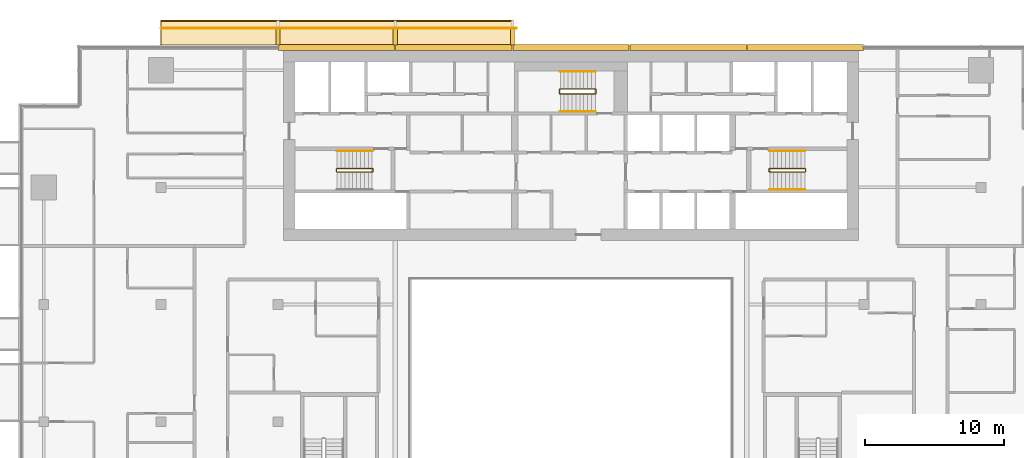
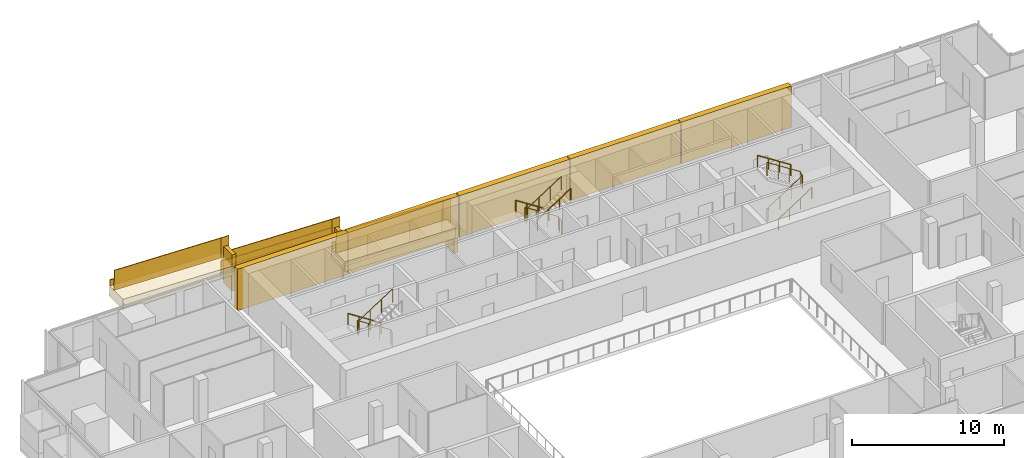
# One storey, part 27 of 28: 14 coverings, 14 railings.
"""IFC4 building model written with IfcOpenShell, lengths in metres."""

import ifcopenshell
import ifcopenshell.guid

model = None  # the IFC model being written
_history = None  # IfcOwnerHistory: only IFC2X3 demands one
_inside = {}  # id of a spatial element -> (the spatial element, [elements in it])
_under = {}  # id of a project, library or spatial element -> (it, [spatial elements below it])
_declared = {}  # id of a project -> (the project, [libraries it declares])
_typed = {}  # id of a type object -> (the type object, [elements of that type])
_made_of = {}  # id of a material, layer set ... -> (it, [elements and type objects made of it])


def new_model(schema):
    """Start an empty IFC model of exactly this schema.

    Asked for "IFC4X3", IfcOpenShell would pick the latest addendum, in which some entities
    have other attributes; the version numbers below select the first issue.
    IFC2X3 requires an IfcOwnerHistory on every rooted entity: one is made here for all.
    """
    global model, _history
    if schema == "IFC4X3":
        model = ifcopenshell.file(schema_version=(4, 3, 0, 0))
    else:
        model = ifcopenshell.file(schema=schema)
    _inside.clear()
    _under.clear()
    _declared.clear()
    _typed.clear()
    _made_of.clear()
    _history = None
    if model.schema == "IFC2X3":
        org = make("IfcOrganization", Name="unknown")
        user = make(
            "IfcPersonAndOrganization",
            ThePerson=make("IfcPerson", FamilyName="unknown"),
            TheOrganization=org,
        )
        app = make(
            "IfcApplication",
            ApplicationDeveloper=org,
            Version="unknown",
            ApplicationFullName="unknown",
            ApplicationIdentifier="unknown",
        )
        _history = make(
            "IfcOwnerHistory",
            OwningUser=user,
            OwningApplication=app,
            ChangeAction="ADDED",
            CreationDate=0,
        )
    return model


def make(cls, **values):
    """One entity of the class cls with the attributes given. An attribute that is None is left unset."""
    return model.create_entity(
        cls, **{name: value for name, value in values.items() if value is not None}
    )


def rooted(cls, **values):
    """An entity with a GlobalId (a new one), such as an element, a storey or a relation."""
    return make(cls, GlobalId=ifcopenshell.guid.new(), OwnerHistory=_history, **values)


def si_unit(unit_type, name, prefix=None):
    """IfcSIUnit, for example si_unit("LENGTHUNIT", "METRE", prefix="MILLI")."""
    return make("IfcSIUnit", UnitType=unit_type, Prefix=prefix, Name=name)


def assignment(units):
    """IfcUnitAssignment: the units of a project."""
    return None if units is None else make("IfcUnitAssignment", Units=units)


def point(xyz):
    """IfcCartesianPoint."""
    return None if xyz is None else make("IfcCartesianPoint", Coordinates=xyz)


def direction(xyz):
    """IfcDirection."""
    return None if xyz is None else make("IfcDirection", DirectionRatios=xyz)


def frame(location, z_axis=None, x_axis=None):
    """IfcAxis2Placement3D, a coordinate frame: its origin and axes. An axis left out is left unset."""
    return make(
        "IfcAxis2Placement3D",
        Location=point(location),
        Axis=direction(z_axis),
        RefDirection=direction(x_axis),
    )


def frame_2d(location, x_axis=None):
    """IfcAxis2Placement2D, a coordinate frame in the plane: its origin and x axis."""
    return make(
        "IfcAxis2Placement2D", Location=point(location), RefDirection=direction(x_axis)
    )


def origin():
    """The frame at (0, 0, 0) with its axes left unset."""
    return frame((0.0, 0.0, 0.0))


def origin_2d():
    """The frame at (0, 0) in the plane with its x axis left unset."""
    return frame_2d((0.0, 0.0))


def place(relative_to, where):
    """IfcLocalPlacement: puts the frame where relative to a parent placement (None: the world)."""
    return make(
        "IfcLocalPlacement", PlacementRelTo=relative_to, RelativePlacement=where
    )


def context(
    kind, dimensions, precision=None, world=None, true_north=None, identifier=None
):
    """IfcGeometricRepresentationContext, for example the 3D "Model" context."""
    return make(
        "IfcGeometricRepresentationContext",
        ContextIdentifier=identifier,
        ContextType=kind,
        CoordinateSpaceDimension=dimensions,
        Precision=precision,
        WorldCoordinateSystem=world,
        TrueNorth=true_north,
    )


def subcontext(parent, identifier, kind, view, scale=None):
    """IfcGeometricRepresentationSubContext, for example "Body" below "Model"."""
    return make(
        "IfcGeometricRepresentationSubContext",
        ContextIdentifier=identifier,
        ContextType=kind,
        ParentContext=parent,
        TargetScale=scale,
        TargetView=view,
    )


def project(units=None, contexts=None):
    """IfcProject with its units and contexts."""
    return rooted(
        "IfcProject",
        Name="project",
        RepresentationContexts=contexts,
        UnitsInContext=assignment(units),
    )


def spatial(cls, under=None, at=None, **own):
    """A site, building, storey or space (cls), placed at a placement, below another one or the project."""
    s = rooted(cls, ObjectPlacement=at, **own)
    if under is not None:
        _under.setdefault(under.id(), (under, []))[1].append(s)
    return s


def polyline(points):
    """IfcPolyline through the points."""
    return make("IfcPolyline", Points=[point(p) for p in points])


def profile(cls, at=None, kind="AREA", **sizes):
    """A parametric profile (cls). Its sizes go by their IFC names, for example OverallWidth=200.0."""
    return make(cls, ProfileType=kind, Position=at, **sizes)


def rectangle(**sizes):
    """IfcRectangleProfileDef."""
    return profile("IfcRectangleProfileDef", **sizes)


def circle(**sizes):
    """IfcCircleProfileDef."""
    return profile("IfcCircleProfileDef", **sizes)


def outline(outer, holes=None, kind="AREA"):
    """IfcArbitraryClosedProfileDef: a profile drawn as a closed curve; with holes, ...WithVoids."""
    if holes is None:
        return make("IfcArbitraryClosedProfileDef", ProfileType=kind, OuterCurve=outer)
    return make(
        "IfcArbitraryProfileDefWithVoids",
        ProfileType=kind,
        OuterCurve=outer,
        InnerCurves=holes,
    )


def extrude(swept, where, along, depth):
    """IfcExtrudedAreaSolid: the profile swept, set in the frame where, extruded along a direction by depth."""
    return make(
        "IfcExtrudedAreaSolid",
        SweptArea=swept,
        Position=where,
        ExtrudedDirection=direction(along),
        Depth=depth,
    )


def shape(context_of_items, identifier, shape_type, items):
    """IfcShapeRepresentation: the items that make up one representation, for example the "Body"."""
    return make(
        "IfcShapeRepresentation",
        ContextOfItems=context_of_items,
        RepresentationIdentifier=identifier,
        RepresentationType=shape_type,
        Items=items,
    )


def material(Name=None, Category=None):
    """IfcMaterial."""
    return make("IfcMaterial", Name=Name, Category=Category)


def layer(
    of_material, thickness, ventilated=None, Name=None, Category=None, Priority=None
):
    """IfcMaterialLayer: one layer of a wall or slab, of a material (None: an air gap)."""
    return make(
        "IfcMaterialLayer",
        Material=of_material,
        LayerThickness=thickness,
        IsVentilated=ventilated,
        Name=Name,
        Category=Category,
        Priority=Priority,
    )


def layer_set(layers, Name=None):
    """IfcMaterialLayerSet."""
    return make("IfcMaterialLayerSet", MaterialLayers=layers, LayerSetName=Name)


def made_of(thing, what):
    """Note that an element or type object is made of a material, layer set ...; save() writes the relation."""
    if what is not None:
        _made_of.setdefault(what.id(), (what, []))[1].append(thing)
    return thing


def type_object(cls, material=None, **own):
    """A type object (cls), such as IfcWallType, which elements share."""
    return made_of(rooted(cls, **own), material)


def element(
    cls,
    number,
    at=None,
    inside=None,
    cuts=None,
    type_object=None,
    material=None,
    context=None,
    identifier="Body",
    shape_type=None,
    held_by="IfcProductDefinitionShape",
    body=None,
    shapes=None,
    **own,
):
    """One element of the class cls, such as IfcWall. Its Tag is "e" and its number.

    at: its placement. inside: the storey or other place that contains it. cuts: it is an
    opening in that element (IfcRelVoidsElement). A single representation is given by context,
    identifier, shape_type and body (its items); several are given by shapes. held_by: the class
    of the entity that holds the representations. save() writes the other relations.
    """
    e = rooted(cls, Tag="e%d" % number, ObjectPlacement=at, **own)
    if body is not None:
        shapes = [shape(context, identifier, shape_type, body)]
    if shapes is not None:
        e.Representation = make(held_by, Representations=shapes)
    if inside is not None:
        _inside.setdefault(inside.id(), (inside, []))[1].append(e)
    if cuts is not None:
        rooted(
            "IfcRelVoidsElement", RelatingBuildingElement=cuts, RelatedOpeningElement=e
        )
    if type_object is not None:
        _typed.setdefault(type_object.id(), (type_object, []))[1].append(e)
    return made_of(e, material)


def aggregate(whole, parts):
    """IfcRelAggregates: a whole, such as a stair, and the parts it consists of."""
    return rooted("IfcRelAggregates", RelatingObject=whole, RelatedObjects=parts)


def save(model, path):
    """Write the relations noted so far, then the file.

    IfcRelAggregates (storeys below a building ...), IfcRelContainedInSpatialStructure (elements
    in a storey), IfcRelDefinesByType, IfcRelAssociatesMaterial and IfcRelDeclares: one each for
    every whole, place, type object, material and project.
    """
    for whole, parts in _under.values():
        aggregate(whole, parts)
    for where, things in _inside.values():
        rooted(
            "IfcRelContainedInSpatialStructure",
            RelatedElements=things,
            RelatingStructure=where,
        )
    for kind, things in _typed.values():
        rooted("IfcRelDefinesByType", RelatedObjects=things, RelatingType=kind)
    for what, things in _made_of.values():
        rooted("IfcRelAssociatesMaterial", RelatedObjects=things, RelatingMaterial=what)
    for by, libraries in _declared.values():
        rooted("IfcRelDeclares", RelatingContext=by, RelatedDefinitions=libraries)
    model.write(path)


model = new_model("IFC4")

# Units and contexts
model_context = context("Model", 3, precision=1e-05, world=origin(), true_north=direction((0.0, 1.0)))
body_context = subcontext(model_context, "Body", "Model", "MODEL_VIEW")
ifc_project = project(units=[si_unit("LENGTHUNIT", "METRE"), si_unit("AREAUNIT", "SQUARE_METRE"), si_unit("VOLUMEUNIT", "CUBIC_METRE"), si_unit("PLANEANGLEUNIT", "RADIAN"), si_unit("MASSUNIT", "GRAM", prefix="KILO")], contexts=[model_context])

# Site, building, storey
site_placement = place(None, origin())
site = spatial("IfcSite", under=ifc_project, at=site_placement, CompositionType="ELEMENT")
building_placement = place(site_placement, origin())
building = spatial("IfcBuilding", under=site, at=building_placement, Name="Saffron Gate Tower", CompositionType="ELEMENT")
storey_placement = place(building_placement, frame((0.0, 0.0, 154.64990234375)))
storey = spatial("IfcBuildingStorey", under=building, at=storey_placement, Name="L37", CompositionType="ELEMENT", Elevation=154.64990234375)

# Coverings
ifc_material_1 = material(Name="Ceramic-printed bronze insulated panel")
ifc_layer_1 = layer(ifc_material_1, 0.43994140625)
ifc_layer_set_1 = layer_set([ifc_layer_1], Name="CLD3 ceramic-printed cladding panel 440")
covering_type_1 = type_object("IfcCoveringType", Name="CLD3 ceramic-printed cladding panel 440", PredefinedType="CLADDING", material=ifc_layer_set_1)
covering_1_placement = place(storey_placement, origin())
element("IfcCovering", 1, at=covering_1_placement, inside=storey, type_object=covering_type_1, Name="CLADDING ceramic-printed panel", PredefinedType="CLADDING", context=body_context, shape_type="SweptSolid", body=[
    extrude(outline(polyline([(108.56494140625, 75.639892578125), (100.235107421875, 75.639892578125), (100.235107421875, 75.199951171875), (108.56494140625, 75.199951171875), (108.56494140625, 75.639892578125)])), origin(), (0.0, 0.0, 1.0), 3.320068359375),
])
covering_2_placement = place(storey_placement, origin())
element("IfcCovering", 2, at=covering_2_placement, inside=storey, type_object=covering_type_1, Name="CLADDING ceramic-printed panel", PredefinedType="CLADDING", context=body_context, shape_type="SweptSolid", body=[
    extrude(outline(polyline([(100.1650390625, 75.639892578125), (91.8349609375, 75.639892578125), (91.8349609375, 75.199951171875), (100.1650390625, 75.199951171875), (100.1650390625, 75.639892578125)])), origin(), (0.0, 0.0, 1.0), 3.320068359375),
])
covering_3_placement = place(storey_placement, origin())
element("IfcCovering", 3, at=covering_3_placement, inside=storey, type_object=covering_type_1, Name="CLADDING ceramic-printed panel", PredefinedType="CLADDING", context=body_context, shape_type="SweptSolid", body=[
    extrude(outline(polyline([(91.764892578125, 75.639892578125), (83.43505859375, 75.639892578125), (83.43505859375, 75.199951171875), (91.764892578125, 75.199951171875), (91.764892578125, 75.639892578125)])), origin(), (0.0, 0.0, 1.0), 3.320068359375),
])
covering_4_placement = place(storey_placement, origin())
element("IfcCovering", 4, at=covering_4_placement, inside=storey, type_object=covering_type_1, Name="CLADDING ceramic-printed panel", PredefinedType="CLADDING", context=body_context, shape_type="SweptSolid", body=[
    extrude(outline(polyline([(83.364990234375, 75.639892578125), (75.034912109375, 75.639892578125), (75.034912109375, 75.199951171875), (83.364990234375, 75.199951171875), (83.364990234375, 75.639892578125)])), origin(), (0.0, 0.0, 1.0), 3.320068359375),
])
covering_5_placement = place(storey_placement, origin())
element("IfcCovering", 5, at=covering_5_placement, inside=storey, type_object=covering_type_1, Name="CLADDING ceramic-printed panel", PredefinedType="CLADDING", context=body_context, shape_type="SweptSolid", body=[
    extrude(outline(polyline([(74.965087890625, 75.639892578125), (66.635009765625, 75.639892578125), (66.635009765625, 75.199951171875), (74.965087890625, 75.199951171875), (74.965087890625, 75.639892578125)])), origin(), (0.0, 0.0, 1.0), 3.320068359375),
])

# Railings
ifc_material_2 = material(Name="Stainless steel and laminated glass", Category="steel")
railing_type_1 = type_object("IfcRailingType", Name="CR1 Stair guard 1100", PredefinedType="GUARDRAIL", material=ifc_material_2)
railing_1_placement = place(storey_placement, frame((73.39990234375, 66.550048828125, 0.0)))
element("IfcRailing", 6, at=railing_1_placement, inside=storey, type_object=railing_type_1, Name="L37 ST-A stair guard 1", PredefinedType="GUARDRAIL", context=body_context, shape_type="SweptSolid", body=[
    extrude(circle(Radius=0.02392578125, at=origin_2d()), frame((0.0, 0.0, 1.076171875), z_axis=(0.0, 1.0, 0.0), x_axis=(-1.0, 0.0, 0.0)), (0.0, 0.0, 1.0), 0.14990234375),
    extrude(circle(Radius=0.02392578125, at=origin_2d()), frame((0.0, 0.14990234375, 1.076171875), z_axis=(-0.257366384619, 0.258627984543, 0.931060744355), x_axis=(-0.708833529934, -0.705375805398, 0.0)), (0.0, 0.0, 1.0), 0.193603515625),
    extrude(circle(Radius=0.02392578125, at=origin_2d()), frame((-0.0498046875, 0.199951171875, 1.25634765625), z_axis=(-0.841199657755, 0.0, 0.540724639528), x_axis=(0.0, -1.0, 0.0)), (0.0, 0.0, 1.0), 2.995849609375),
    extrude(circle(Radius=0.02392578125, at=origin_2d()), frame((-2.56982421875, 0.199951171875, 2.8759765625), z_axis=(-0.707106781187, -0.707106781187, 0.0), x_axis=(0.707106781187, -0.707106781187, 0.0)), (0.0, 0.0, 1.0), 0.07080078125),
    extrude(circle(Radius=0.02392578125, at=origin_2d()), frame((-2.619873046875, 0.14990234375, 2.8759765625), z_axis=(0.0, -1.0, 0.0), x_axis=(1.0, 0.0, 0.0)), (0.0, 0.0, 1.0), 0.14990234375),
    extrude(circle(Radius=0.02392578125, at=origin_2d()), frame((-2.619873046875, 0.0, 2.8759765625), z_axis=(0.258847668887, -0.258847668887, 0.930588936439), x_axis=(0.707106781187, 0.707106781187, 0.0)), (0.0, 0.0, 1.0), 0.193359375),
    extrude(circle(Radius=0.02392578125, at=origin_2d()), frame((-2.56982421875, -0.050048828125, 3.05615234375), z_axis=(0.841162588446, 0.0, 0.540782303519), x_axis=(0.0, 1.0, 0.0)), (0.0, 0.0, 1.0), 2.995849609375),
    extrude(circle(Radius=0.02099609375, at=origin_2d()), origin(), (0.0, 0.0, 1.0), 1.052001953125),
    extrude(circle(Radius=0.02099609375, at=origin_2d()), frame((0.0, 0.14990234375, 0.0)), (0.0, 0.0, 1.0), 1.052001953125),
    extrude(circle(Radius=0.02099609375, at=origin_2d()), frame((-0.0498046875, 0.199951171875, 0.18017578125)), (0.0, 0.0, 1.0), 1.052001953125),
    extrude(circle(Radius=0.02099609375, at=origin_2d()), frame((-0.889892578125, 0.199951171875, 0.72021484375)), (0.0, 0.0, 1.0), 1.052001953125),
    extrude(circle(Radius=0.02099609375, at=origin_2d()), frame((-1.729736328125, 0.199951171875, 1.260009765625)), (0.0, 0.0, 1.0), 1.052001953125),
    extrude(circle(Radius=0.02099609375, at=origin_2d()), frame((-2.56982421875, 0.199951171875, 1.800048828125)), (0.0, 0.0, 1.0), 1.052001953125),
    extrude(circle(Radius=0.02099609375, at=origin_2d()), frame((-2.619873046875, 0.14990234375, 1.800048828125)), (0.0, 0.0, 1.0), 1.052001953125),
    extrude(circle(Radius=0.02099609375, at=origin_2d()), frame((-2.619873046875, 0.0, 1.800048828125)), (0.0, 0.0, 1.0), 1.052001953125),
    extrude(circle(Radius=0.02099609375, at=origin_2d()), frame((-2.56982421875, -0.050048828125, 1.97998046875)), (0.0, 0.0, 1.0), 1.052001953125),
    extrude(circle(Radius=0.02099609375, at=origin_2d()), frame((-1.729736328125, -0.050048828125, 2.52001953125)), (0.0, 0.0, 1.0), 1.052001953125),
    extrude(circle(Radius=0.02099609375, at=origin_2d()), frame((-0.889892578125, -0.050048828125, 3.06005859375)), (0.0, 0.0, 1.0), 1.052001953125),
    extrude(circle(Radius=0.02099609375, at=origin_2d()), frame((-0.0498046875, -0.050048828125, 3.60009765625)), (0.0, 0.0, 1.0), 1.052001953125),
])
railing_2_placement = place(storey_placement, frame((101.800048828125, 66.699951171875, 0.0)))
element("IfcRailing", 7, at=railing_2_placement, inside=storey, type_object=railing_type_1, Name="L37 ST-B stair guard 1", PredefinedType="GUARDRAIL", context=body_context, shape_type="SweptSolid", body=[
    extrude(circle(Radius=0.02392578125, at=origin_2d()), frame((0.0, 0.0, 1.076171875), z_axis=(0.0, -1.0, 0.0), x_axis=(1.0, 0.0, 0.0)), (0.0, 0.0, 1.0), 0.14990234375),
    extrude(circle(Radius=0.02392578125, at=origin_2d()), frame((0.0, -0.14990234375, 1.076171875), z_axis=(0.258543844998, -0.258543844998, 0.930757841991), x_axis=(0.707106781187, 0.707106781187, 0.0)), (0.0, 0.0, 1.0), 0.193603515625),
    extrude(circle(Radius=0.02392578125, at=origin_2d()), frame((0.050048828125, -0.199951171875, 1.25634765625), z_axis=(0.841199657755, 0.0, 0.540724639528), x_axis=(0.0, 1.0, 0.0)), (0.0, 0.0, 1.0), 2.995849609375),
    extrude(circle(Radius=0.02392578125, at=origin_2d()), frame((2.570068359375, -0.199951171875, 2.8759765625), z_axis=(0.705375805398, 0.708833529934, 0.0), x_axis=(-0.708833529934, 0.705375805398, 0.0)), (0.0, 0.0, 1.0), 0.070556640625),
    extrude(circle(Radius=0.02392578125, at=origin_2d()), frame((2.619873046875, -0.14990234375, 2.8759765625), z_axis=(0.0, 1.0, 0.0), x_axis=(-1.0, 0.0, 0.0)), (0.0, 0.0, 1.0), 0.14990234375),
    extrude(circle(Radius=0.02392578125, at=origin_2d()), frame((2.619873046875, 0.0, 2.8759765625), z_axis=(-0.257669022063, 0.258932105505, 0.930892496375), x_axis=(-0.708833529934, -0.705375805398, 0.0)), (0.0, 0.0, 1.0), 0.193359375),
    extrude(circle(Radius=0.02392578125, at=origin_2d()), frame((2.570068359375, 0.050048828125, 3.05615234375), z_axis=(-0.841162588446, 0.0, 0.540782303519), x_axis=(0.0, -1.0, 0.0)), (0.0, 0.0, 1.0), 2.995849609375),
    extrude(circle(Radius=0.02099609375, at=origin_2d()), origin(), (0.0, 0.0, 1.0), 1.052001953125),
    extrude(circle(Radius=0.02099609375, at=origin_2d()), frame((0.0, -0.14990234375, 0.0)), (0.0, 0.0, 1.0), 1.052001953125),
    extrude(circle(Radius=0.02099609375, at=origin_2d()), frame((0.050048828125, -0.199951171875, 0.18017578125)), (0.0, 0.0, 1.0), 1.052001953125),
    extrude(circle(Radius=0.02099609375, at=origin_2d()), frame((0.89013671875, -0.199951171875, 0.72021484375)), (0.0, 0.0, 1.0), 1.052001953125),
    extrude(circle(Radius=0.02099609375, at=origin_2d()), frame((1.72998046875, -0.199951171875, 1.260009765625)), (0.0, 0.0, 1.0), 1.052001953125),
    extrude(circle(Radius=0.02099609375, at=origin_2d()), frame((2.570068359375, -0.199951171875, 1.800048828125)), (0.0, 0.0, 1.0), 1.052001953125),
    extrude(circle(Radius=0.02099609375, at=origin_2d()), frame((2.619873046875, -0.14990234375, 1.800048828125)), (0.0, 0.0, 1.0), 1.052001953125),
    extrude(circle(Radius=0.02099609375, at=origin_2d()), frame((2.619873046875, 0.0, 1.800048828125)), (0.0, 0.0, 1.0), 1.052001953125),
    extrude(circle(Radius=0.02099609375, at=origin_2d()), frame((2.570068359375, 0.050048828125, 1.97998046875)), (0.0, 0.0, 1.0), 1.052001953125),
    extrude(circle(Radius=0.02099609375, at=origin_2d()), frame((1.72998046875, 0.050048828125, 2.52001953125)), (0.0, 0.0, 1.0), 1.052001953125),
    extrude(circle(Radius=0.02099609375, at=origin_2d()), frame((0.89013671875, 0.050048828125, 3.06005859375)), (0.0, 0.0, 1.0), 1.052001953125),
    extrude(circle(Radius=0.02099609375, at=origin_2d()), frame((0.050048828125, 0.050048828125, 3.60009765625)), (0.0, 0.0, 1.0), 1.052001953125),
])
railing_3_placement = place(storey_placement, frame((89.39990234375, 72.14990234375, 0.0)))
element("IfcRailing", 8, at=railing_3_placement, inside=storey, type_object=railing_type_1, Name="L37 ST-C stair guard 1", PredefinedType="GUARDRAIL", context=body_context, shape_type="SweptSolid", body=[
    extrude(circle(Radius=0.02392578125, at=origin_2d()), frame((0.0, 0.0, 1.076171875), z_axis=(0.0, 1.0, 0.0), x_axis=(-1.0, 0.0, 0.0)), (0.0, 0.0, 1.0), 0.25),
    extrude(circle(Radius=0.02392578125, at=origin_2d()), frame((0.0, 0.25, 1.076171875), z_axis=(-0.257366384619, 0.258627984543, 0.931060744355), x_axis=(-0.708833529934, -0.705375805398, 0.0)), (0.0, 0.0, 1.0), 0.193603515625),
    extrude(circle(Radius=0.02392578125, at=origin_2d()), frame((-0.0498046875, 0.300048828125, 1.25634765625), z_axis=(-0.841199657755, 0.0, 0.540724639528), x_axis=(0.0, -1.0, 0.0)), (0.0, 0.0, 1.0), 2.995849609375),
    extrude(circle(Radius=0.02392578125, at=origin_2d()), frame((-2.56982421875, 0.300048828125, 2.8759765625), z_axis=(-0.707106781187, -0.707106781187, 0.0), x_axis=(0.707106781187, -0.707106781187, 0.0)), (0.0, 0.0, 1.0), 0.07080078125),
    extrude(circle(Radius=0.02392578125, at=origin_2d()), frame((-2.619873046875, 0.25, 2.8759765625), z_axis=(0.0, -1.0, 0.0), x_axis=(1.0, 0.0, 0.0)), (0.0, 0.0, 1.0), 0.25),
    extrude(circle(Radius=0.02392578125, at=origin_2d()), frame((-2.619873046875, 0.0, 2.8759765625), z_axis=(0.258932105505, -0.257669022063, 0.930892496375), x_axis=(0.705375805398, 0.708833529934, 0.0)), (0.0, 0.0, 1.0), 0.193359375),
    extrude(circle(Radius=0.02392578125, at=origin_2d()), frame((-2.56982421875, -0.0498046875, 3.05615234375), z_axis=(0.841162588446, 0.0, 0.540782303519), x_axis=(0.0, 1.0, 0.0)), (0.0, 0.0, 1.0), 2.995849609375),
    extrude(circle(Radius=0.02099609375, at=origin_2d()), origin(), (0.0, 0.0, 1.0), 1.052001953125),
    extrude(circle(Radius=0.02099609375, at=origin_2d()), frame((0.0, 0.25, 0.0)), (0.0, 0.0, 1.0), 1.052001953125),
    extrude(circle(Radius=0.02099609375, at=origin_2d()), frame((-0.0498046875, 0.300048828125, 0.18017578125)), (0.0, 0.0, 1.0), 1.052001953125),
    extrude(circle(Radius=0.02099609375, at=origin_2d()), frame((-0.889892578125, 0.300048828125, 0.72021484375)), (0.0, 0.0, 1.0), 1.052001953125),
    extrude(circle(Radius=0.02099609375, at=origin_2d()), frame((-1.729736328125, 0.300048828125, 1.260009765625)), (0.0, 0.0, 1.0), 1.052001953125),
    extrude(circle(Radius=0.02099609375, at=origin_2d()), frame((-2.56982421875, 0.300048828125, 1.800048828125)), (0.0, 0.0, 1.0), 1.052001953125),
    extrude(circle(Radius=0.02099609375, at=origin_2d()), frame((-2.619873046875, 0.25, 1.800048828125)), (0.0, 0.0, 1.0), 1.052001953125),
    extrude(circle(Radius=0.02099609375, at=origin_2d()), frame((-2.619873046875, 0.0, 1.800048828125)), (0.0, 0.0, 1.0), 1.052001953125),
    extrude(circle(Radius=0.02099609375, at=origin_2d()), frame((-2.56982421875, -0.0498046875, 1.97998046875)), (0.0, 0.0, 1.0), 1.052001953125),
    extrude(circle(Radius=0.02099609375, at=origin_2d()), frame((-1.729736328125, -0.0498046875, 2.52001953125)), (0.0, 0.0, 1.0), 1.052001953125),
    extrude(circle(Radius=0.02099609375, at=origin_2d()), frame((-0.889892578125, -0.0498046875, 3.06005859375)), (0.0, 0.0, 1.0), 1.052001953125),
    extrude(circle(Radius=0.02099609375, at=origin_2d()), frame((-0.0498046875, -0.0498046875, 3.60009765625)), (0.0, 0.0, 1.0), 1.052001953125),
])
ifc_material_3 = material(Name="Stainless steel", Category="steel")
railing_type_2 = type_object("IfcRailingType", Name="CR2 Stair handrail 900", PredefinedType="HANDRAIL", material=ifc_material_3)
railing_4_placement = place(storey_placement, frame((73.35009765625, 68.0, 0.18017578125)))
element("IfcRailing", 9, at=railing_4_placement, inside=storey, type_object=railing_type_2, Name="L37 ST-A stair handrail 1", PredefinedType="HANDRAIL", context=body_context, shape_type="SweptSolid", body=[
    extrude(circle(Radius=0.02392578125, at=origin_2d()), frame((0.0, 0.0, 0.8759765625), z_axis=(-0.841199657755, 0.0, 0.540724639528), x_axis=(0.0, -1.0, 0.0)), (0.0, 0.0, 1.0), 2.995849609375),
    extrude(circle(Radius=0.02099609375, at=origin_2d()), origin(), (0.0, 0.0, 1.0), 0.851806640625),
    extrude(circle(Radius=0.02099609375, at=origin_2d()), frame((-0.840087890625, 0.0, 0.5400390625)), (0.0, 0.0, 1.0), 0.851806640625),
    extrude(circle(Radius=0.02099609375, at=origin_2d()), frame((-1.679931640625, 0.0, 1.079833984375)), (0.0, 0.0, 1.0), 0.851806640625),
    extrude(circle(Radius=0.02099609375, at=origin_2d()), frame((-2.52001953125, 0.0, 1.619873046875)), (0.0, 0.0, 1.0), 0.851806640625),
])
railing_5_placement = place(storey_placement, frame((101.85009765625, 65.25, 0.18017578125)))
element("IfcRailing", 10, at=railing_5_placement, inside=storey, type_object=railing_type_2, Name="L37 ST-B stair handrail 1", PredefinedType="HANDRAIL", context=body_context, shape_type="SweptSolid", body=[
    extrude(circle(Radius=0.02392578125, at=origin_2d()), frame((0.0, 0.0, 0.8759765625), z_axis=(0.841199657755, 0.0, 0.540724639528), x_axis=(0.0, 1.0, 0.0)), (0.0, 0.0, 1.0), 2.995849609375),
    extrude(circle(Radius=0.02099609375, at=origin_2d()), origin(), (0.0, 0.0, 1.0), 0.851806640625),
    extrude(circle(Radius=0.02099609375, at=origin_2d()), frame((0.840087890625, 0.0, 0.5400390625)), (0.0, 0.0, 1.0), 0.851806640625),
    extrude(circle(Radius=0.02099609375, at=origin_2d()), frame((1.679931640625, 0.0, 1.079833984375)), (0.0, 0.0, 1.0), 0.851806640625),
    extrude(circle(Radius=0.02099609375, at=origin_2d()), frame((2.52001953125, 0.0, 1.619873046875)), (0.0, 0.0, 1.0), 0.851806640625),
])
railing_6_placement = place(storey_placement, frame((104.3701171875, 68.0, 1.97998046875)))
element("IfcRailing", 11, at=railing_6_placement, inside=storey, type_object=railing_type_2, Name="L37 ST-B stair handrail 2", PredefinedType="HANDRAIL", context=body_context, shape_type="SweptSolid", body=[
    extrude(circle(Radius=0.02392578125, at=origin_2d()), frame((0.0, 0.0, 0.8759765625), z_axis=(-0.841162588446, 0.0, 0.540782303519), x_axis=(0.0, -1.0, 0.0)), (0.0, 0.0, 1.0), 2.995849609375),
    extrude(circle(Radius=0.02099609375, at=origin_2d()), origin(), (0.0, 0.0, 1.0), 0.851806640625),
    extrude(circle(Radius=0.02099609375, at=origin_2d()), frame((-0.840087890625, 0.0, 0.5400390625)), (0.0, 0.0, 1.0), 0.851806640625),
    extrude(circle(Radius=0.02099609375, at=origin_2d()), frame((-1.679931640625, 0.0, 1.080078125)), (0.0, 0.0, 1.0), 0.851806640625),
    extrude(circle(Radius=0.02099609375, at=origin_2d()), frame((-2.52001953125, 0.0, 1.6201171875)), (0.0, 0.0, 1.0), 0.851806640625),
])
railing_7_placement = place(storey_placement, frame((89.35009765625, 73.699951171875, 0.18017578125)))
element("IfcRailing", 12, at=railing_7_placement, inside=storey, type_object=railing_type_2, Name="L37 ST-C stair handrail 1", PredefinedType="HANDRAIL", context=body_context, shape_type="SweptSolid", body=[
    extrude(circle(Radius=0.02392578125, at=origin_2d()), frame((0.0, 0.0, 0.8759765625), z_axis=(-0.841199657755, 0.0, 0.540724639528), x_axis=(0.0, -1.0, 0.0)), (0.0, 0.0, 1.0), 2.995849609375),
    extrude(circle(Radius=0.02099609375, at=origin_2d()), origin(), (0.0, 0.0, 1.0), 0.851806640625),
    extrude(circle(Radius=0.02099609375, at=origin_2d()), frame((-0.840087890625, 0.0, 0.5400390625)), (0.0, 0.0, 1.0), 0.851806640625),
    extrude(circle(Radius=0.02099609375, at=origin_2d()), frame((-1.679931640625, 0.0, 1.079833984375)), (0.0, 0.0, 1.0), 0.851806640625),
    extrude(circle(Radius=0.02099609375, at=origin_2d()), frame((-2.52001953125, 0.0, 1.619873046875)), (0.0, 0.0, 1.0), 0.851806640625),
])
railing_8_placement = place(storey_placement, frame((86.830078125, 70.85009765625, 1.97998046875)))
element("IfcRailing", 13, at=railing_8_placement, inside=storey, type_object=railing_type_2, Name="L37 ST-C stair handrail 2", PredefinedType="HANDRAIL", context=body_context, shape_type="SweptSolid", body=[
    extrude(circle(Radius=0.02392578125, at=origin_2d()), frame((0.0, 0.0, 0.8759765625), z_axis=(0.841162588446, 0.0, 0.540782303519), x_axis=(0.0, 1.0, 0.0)), (0.0, 0.0, 1.0), 2.995849609375),
    extrude(circle(Radius=0.02099609375, at=origin_2d()), origin(), (0.0, 0.0, 1.0), 0.851806640625),
    extrude(circle(Radius=0.02099609375, at=origin_2d()), frame((0.840087890625, 0.0, 0.5400390625)), (0.0, 0.0, 1.0), 0.851806640625),
    extrude(circle(Radius=0.02099609375, at=origin_2d()), frame((1.679931640625, 0.0, 1.080078125)), (0.0, 0.0, 1.0), 0.851806640625),
    extrude(circle(Radius=0.02099609375, at=origin_2d()), frame((2.52001953125, 0.0, 1.6201171875)), (0.0, 0.0, 1.0), 0.851806640625),
])

# Coverings
ifc_material_4 = material(Name="Timber, thermally modified ash", Category="wood")
ifc_layer_2 = layer(ifc_material_4, 0.800048828125)
ifc_layer_set_2 = layer_set([ifc_layer_2], Name="LD1 ledge timber")
covering_type_2 = type_object("IfcCoveringType", Name="LD1 ledge timber", PredefinedType="CLADDING", material=ifc_layer_set_2)
for number, where, z_axis, x_axis, name in (
    (14, (83.39990234375, 75.60009765625, 0.499755859375), (0.028791175352, 0.0, 0.999585448184), (-0.999585448184, 0.0, 0.028791175352), "LEDGE"),
    (15, (75.0, 75.60009765625, 1.942138671875), (0.028791175352, 0.0, 0.999585448184), (-0.999585448184, 0.0, 0.028791175352), "LEDGE"),
):
    element("IfcCovering", number, at=place(storey_placement, frame(where, z_axis=z_axis, x_axis=x_axis)), inside=storey, type_object=covering_type_2, Name=name, PredefinedType="CLADDING", context=body_context, shape_type="SweptSolid", body=[
        extrude(outline(polyline([(0.0, 0.0), (8.403385982666892, 0.0), (8.403385982666892, -1.7998046875), (0.0, -1.7998046875), (0.0, 0.0)])), origin(), (0.0, 0.0, -1.0), 0.800048828125),
    ])
covering_6_placement = place(storey_placement, frame((66.60009765625, 75.60009765625, 3.38427734375), z_axis=(0.028790339263, 0.0, 0.999585472266), x_axis=(-0.999585472266, 0.0, 0.028790339263)))
element("IfcCovering", 16, at=covering_6_placement, inside=storey, type_object=covering_type_2, Name="LEDGE", PredefinedType="CLADDING", context=body_context, shape_type="SweptSolid", body=[
    extrude(outline(polyline([(0.0, 0.0), (8.403630022085892, 0.0), (8.403630022085892, -1.7998046875), (0.0, -1.7998046875), (0.0, 0.0)])), origin(), (0.0, 0.0, -1.0), 0.800048828125),
])
ifc_layer_3 = layer(ifc_material_4, 0.080078125)
ifc_layer_set_3 = layer_set([ifc_layer_3], Name="LD2 ledge planter trough")
covering_type_3 = type_object("IfcCoveringType", Name="LD2 ledge planter trough", PredefinedType="CLADDING", material=ifc_layer_set_3)
for number, where, z_axis, x_axis, name in (
    (17, (83.39990234375, 77.39990234375, 0.499755859375), (0.0, 1.0, 0.0), (-0.999585448184, 0.0, 0.028791175352), "LEDGE planter trough"),
    (18, (75.0, 77.39990234375, 1.942138671875), (0.0, 1.0, 0.0), (-0.999585448184, 0.0, 0.028791175352), "LEDGE planter trough"),
):
    element("IfcCovering", number, at=place(storey_placement, frame(where, z_axis=z_axis, x_axis=x_axis)), inside=storey, type_object=covering_type_3, Name=name, PredefinedType="CLADDING", context=body_context, shape_type="SweptSolid", body=[
        extrude(outline(polyline([(0.0, 0.0), (8.403385982666892, 0.0), (8.417781570342743, 0.49979272409216496), (0.014395587675851172, 0.4997927240921649), (0.0, 0.0)])), origin(), (0.0, 0.0, -1.0), 0.080078125),
    ])
covering_7_placement = place(storey_placement, frame((66.60009765625, 77.39990234375, 3.38427734375), z_axis=(0.0, 1.0, 0.0), x_axis=(-0.999585472266, 0.0, 0.028790339263)))
element("IfcCovering", 19, at=covering_7_placement, inside=storey, type_object=covering_type_3, Name="LEDGE planter trough", PredefinedType="CLADDING", context=body_context, shape_type="SweptSolid", body=[
    extrude(outline(polyline([(0.0, 0.0), (8.403630022085892, 0.0), (8.418025191717298, 0.4997927361329725), (0.014395169631405694, 0.4997927361329725), (0.0, 0.0)])), origin(), (0.0, 0.0, -1.0), 0.080078125),
])
ifc_layer_4 = layer(ifc_material_4, 0.300048828125)
ifc_layer_set_4 = layer_set([ifc_layer_4], Name="LD3 ledge riser fin")
covering_type_4 = type_object("IfcCoveringType", Name="LD3 ledge riser fin", PredefinedType="CLADDING", material=ifc_layer_set_4)
for number, where, z_axis, x_axis, name in (
    (20, (83.39990234375, 76.159912109375, -1.500732421875), (0.0, 0.0, 1.0), (-1.0, 0.0, 0.0), "LEDGE riser fin"),
    (21, (75.0, 76.159912109375, -0.058349609375), (0.0, 0.0, 1.0), (-1.0, 0.0, 0.0), "LEDGE riser fin"),
    (22, (66.60009765625, 76.159912109375, 1.384033203125), (0.0, 0.0, 1.0), (-1.0, 0.0, 0.0), "LEDGE riser fin"),
):
    element("IfcCovering", number, at=place(storey_placement, frame(where, z_axis=z_axis, x_axis=x_axis)), inside=storey, type_object=covering_type_4, Name=name, PredefinedType="CLADDING", context=body_context, shape_type="SweptSolid", body=[
        extrude(rectangle(XDim=0.300048828125, YDim=1.1201171875, at=origin_2d()), origin(), (0.0, 0.0, 1.0), 2.900390625),
    ])

# Railings
railing_type_3 = type_object("IfcRailingType", Name="LG1 ledge balustrade", PredefinedType="BALUSTRADE", material=ifc_material_4)
railing_9_placement = place(storey_placement, frame((83.39990234375, 76.800048828125, 0.499755859375)))
element("IfcRailing", 23, at=railing_9_placement, inside=storey, type_object=railing_type_3, Name="LEDGE BALUSTRADE", PredefinedType="BALUSTRADE", context=body_context, shape_type="SweptSolid", body=[
    extrude(rectangle(XDim=0.06005859375, YDim=1.60009765625, at=origin_2d()), frame((0.0, 0.0, 0.800048828125), z_axis=(-0.999585448184, 0.0, 0.028791175352), x_axis=(0.0, -1.0, 0.0)), (0.0, 0.0, 1.0), 8.4033203125),
])
railing_10_placement = place(storey_placement, frame((83.699951171875, 76.800048828125, -0.70068359375)))
element("IfcRailing", 24, at=railing_10_placement, inside=storey, type_object=railing_type_3, Name="LEDGE BALUSTRADE", PredefinedType="BALUSTRADE", context=body_context, shape_type="SweptSolid", body=[
    extrude(rectangle(XDim=0.06005859375, YDim=2.80029296875, at=origin_2d()), frame((0.0, 0.0, 1.400146484375), z_axis=(-1.0, 0.0, 0.0), x_axis=(0.0, -1.0, 0.0)), (0.0, 0.0, 1.0), 0.599853515625),
])
railing_11_placement = place(storey_placement, frame((75.0, 76.800048828125, 1.942138671875)))
element("IfcRailing", 25, at=railing_11_placement, inside=storey, type_object=railing_type_3, Name="LEDGE BALUSTRADE", PredefinedType="BALUSTRADE", context=body_context, shape_type="SweptSolid", body=[
    extrude(rectangle(XDim=0.06005859375, YDim=1.60009765625, at=origin_2d()), frame((0.0, 0.0, 0.800048828125), z_axis=(-0.999585448184, 0.0, 0.028791175352), x_axis=(0.0, -1.0, 0.0)), (0.0, 0.0, 1.0), 8.4033203125),
])
railing_12_placement = place(storey_placement, frame((75.300048828125, 76.800048828125, 0.74169921875)))
element("IfcRailing", 26, at=railing_12_placement, inside=storey, type_object=railing_type_3, Name="LEDGE BALUSTRADE", PredefinedType="BALUSTRADE", context=body_context, shape_type="SweptSolid", body=[
    extrude(rectangle(XDim=0.06005859375, YDim=2.80029296875, at=origin_2d()), frame((0.0, 0.0, 1.400146484375), z_axis=(-1.0, 0.0, 0.0), x_axis=(0.0, -1.0, 0.0)), (0.0, 0.0, 1.0), 0.60009765625),
])
railing_13_placement = place(storey_placement, frame((66.60009765625, 76.800048828125, 3.38427734375)))
element("IfcRailing", 27, at=railing_13_placement, inside=storey, type_object=railing_type_3, Name="LEDGE BALUSTRADE", PredefinedType="BALUSTRADE", context=body_context, shape_type="SweptSolid", body=[
    extrude(rectangle(XDim=0.06005859375, YDim=1.60009765625, at=origin_2d()), frame((0.0, 0.0, 0.800048828125), z_axis=(-0.999585472266, 0.0, 0.028790339263), x_axis=(0.0, -1.0, 0.0)), (0.0, 0.0, 1.0), 8.403564453125),
])
railing_14_placement = place(storey_placement, frame((66.89990234375, 76.800048828125, 2.18408203125)))
element("IfcRailing", 28, at=railing_14_placement, inside=storey, type_object=railing_type_3, Name="LEDGE BALUSTRADE", PredefinedType="BALUSTRADE", context=body_context, shape_type="SweptSolid", body=[
    extrude(rectangle(XDim=0.06005859375, YDim=2.80029296875, at=origin_2d()), frame((0.0, 0.0, 1.400146484375), z_axis=(-1.0, 0.0, 0.0), x_axis=(0.0, -1.0, 0.0)), (0.0, 0.0, 1.0), 0.599853515625),
])

save(model, "model.ifc")
